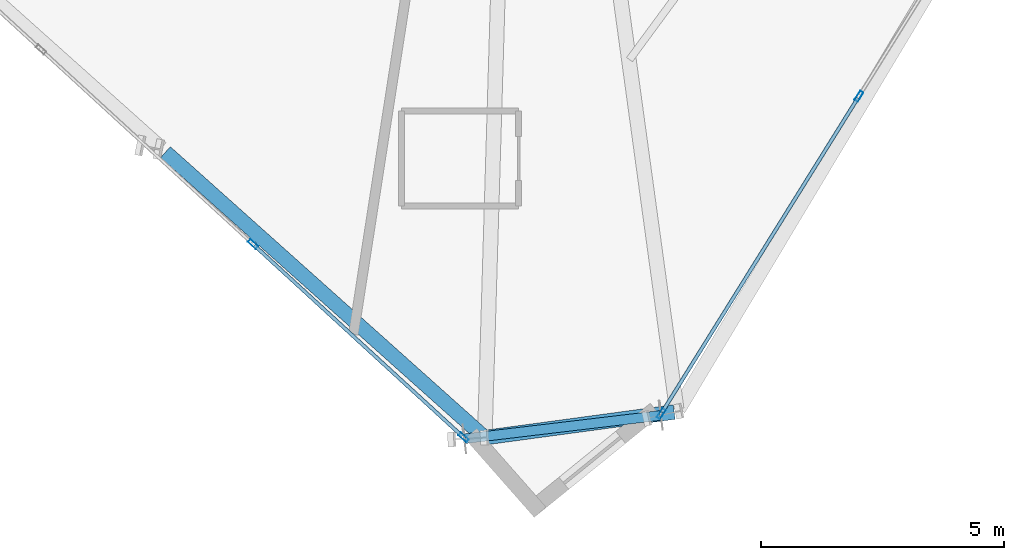
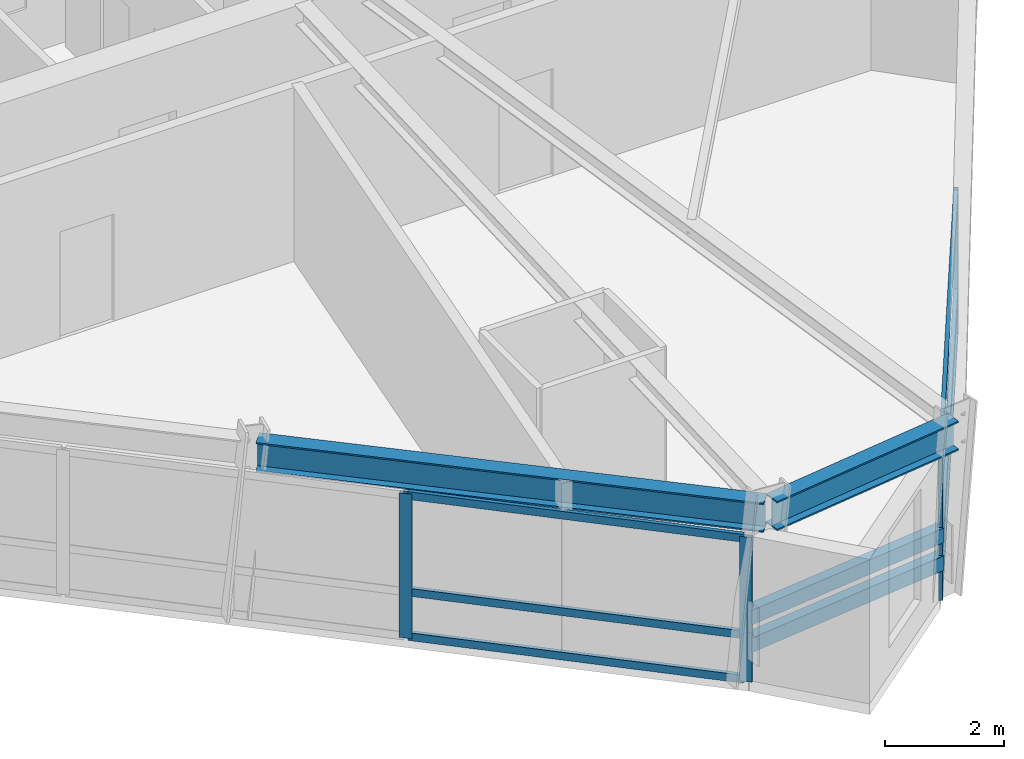
# One storey, part 3 of 13: 12 members, 2 beams, 2 elements without a shape of their own.
"""IFC4 building model written with IfcOpenShell, lengths in metres."""

from ifc_helpers import new_model, si_unit, direction, frame, origin, origin_2d, place, context, subcontext, project, spatial, hollow_rectangle, i_section, extrude, source, transform, mapped, material, material_profile, profile_set, type_object, element, aggregate, save


model = new_model("IFC4")

# Units and contexts
model_context = context("Model", 3, precision=1e-05, world=origin(), true_north=direction((0.0, 1.0)))
body_context = subcontext(model_context, "Body", "Model", "MODEL_VIEW")
ifc_project = project(units=[si_unit("LENGTHUNIT", "METRE"), si_unit("AREAUNIT", "SQUARE_METRE"), si_unit("VOLUMEUNIT", "CUBIC_METRE"), si_unit("PLANEANGLEUNIT", "RADIAN"), si_unit("MASSUNIT", "GRAM", prefix="KILO")], contexts=[model_context])

# Site, building, storey
site_placement = place(None, origin())
site = spatial("IfcSite", under=ifc_project, at=site_placement, CompositionType="ELEMENT")
building_placement = place(site_placement, origin())
building = spatial("IfcBuilding", under=site, at=building_placement, Name="Olszyna Solenne Hotel", CompositionType="ELEMENT")
storey_placement = place(building_placement, frame((0.0, 0.0, 200.300048828125)))
storey = spatial("IfcBuildingStorey", under=building, at=storey_placement, Name="L53", CompositionType="ELEMENT", Elevation=200.300048828125)

# Beams
ifc_material_1 = material(Name="Steel S355J2", Category="steel")
ifc_material_profile_1 = material_profile(ifc_material_1, i_section(OverallWidth=0.300048828125, OverallDepth=0.60009765625, WebThickness=0.015380859375, FlangeThickness=0.030029296875, at=origin_2d()), Name="HEB 600", Category="load-bearing")
ifc_profile_set_1 = profile_set([ifc_material_profile_1], Name="Steel S355J2")
beam_type = type_object("IfcBeamType", Name="BM-S2", PredefinedType="BEAM", material=ifc_profile_set_1)
shared_shape_1 = source(origin(), body_context, "Body", "SweptSolid", [
    extrude(i_section(OverallWidth=0.300048828125, OverallDepth=0.60009765625, WebThickness=0.015380859375, FlangeThickness=0.030029296875, at=origin_2d()), origin(), (0.0, 0.0, 1.0), 8.736083984375),
])
beam_1_placement = place(storey_placement, frame((30.72802734375, 8.300048828125, 3.280029296875), z_axis=(0.745491228632, -0.666515437205, 0.0), x_axis=(0.666515437205, 0.745491228632, 0.0)))
element("IfcBeam", 1, at=beam_1_placement, inside=storey, type_object=beam_type, Name="Perimeter spandrel beam BM-S2 B-L53-1571", PredefinedType="BEAM", context=body_context, shape_type="MappedRepresentation", body=[
    mapped(shared_shape_1, transform((0.0, 0.0, 0.0), x_axis=(1.0, 0.0, 0.0), y_axis=(0.0, 1.0, 0.0), z_axis=(0.0, 0.0, 1.0), scale=1.0)),
])
shared_shape_2 = source(origin(), body_context, "Body", "SweptSolid", [
    extrude(i_section(OverallWidth=0.300048828125, OverallDepth=0.60009765625, WebThickness=0.015380859375, FlangeThickness=0.030029296875, at=origin_2d()), origin(), (0.0, 0.0, 1.0), 3.8642578125),
])
beam_2_placement = place(storey_placement, frame((37.344970703125, 2.4453125, 3.280029296875), z_axis=(0.990980642615, 0.134005096779, 0.0), x_axis=(-0.134005096779, 0.990980642615, 0.0)))
element("IfcBeam", 2, at=beam_2_placement, inside=storey, type_object=beam_type, Name="Perimeter spandrel beam BM-S2 B-L53-1572", PredefinedType="BEAM", context=body_context, shape_type="MappedRepresentation", body=[
    mapped(shared_shape_2, transform((0.0, 0.0, 0.0), x_axis=(1.0, 0.0, 0.0), y_axis=(0.0, 1.0, 0.0), z_axis=(0.0, 0.0, 1.0), scale=1.0)),
])

# Members
ifc_material_profile_2 = material_profile(ifc_material_1, hollow_rectangle(XDim=0.199951171875, YDim=0.300048828125, WallThickness=0.01611328125, at=origin_2d()), Name="RHS 300x200x16", Category="load-bearing")
ifc_profile_set_2 = profile_set([ifc_material_profile_2], Name="Steel S355J2")
member_type_1 = type_object("IfcMemberType", Name="CH-PR1", PredefinedType="CHORD", material=ifc_profile_set_2)
shared_shape_3 = source(origin(), body_context, "Body", "SweptSolid", [
    extrude(hollow_rectangle(XDim=0.199951171875, YDim=0.300048828125, WallThickness=0.01611328125, at=origin_2d()), origin(), (0.0, 0.0, 1.0), 4.035400390625),
])
for number, where, z_axis, x_axis, name in (
    (3, (36.879150390625, 2.414794921875, 1.349853515625), (0.992959331086, 0.118455758866, 0.0), (-0.118455758866, 0.992959331086, 0.0), "Glass-prism tie chord CH-PR1 M-L53-PR1"),
    (4, (36.879150390625, 2.414794921875, 0.780029296875), (0.992959331086, 0.118455758866, 0.0), (-0.118455758866, 0.992959331086, 0.0), "Glass-prism tie chord CH-PR1 M-L53-PR2"),
):
    element("IfcMember", number, at=place(storey_placement, frame(where, z_axis=z_axis, x_axis=x_axis)), inside=storey, type_object=member_type_1, Name=name, PredefinedType="CHORD", context=body_context, shape_type="MappedRepresentation", body=[
        mapped(shared_shape_3, transform((0.0, 0.0, 0.0), x_axis=(1.0, 0.0, 0.0), y_axis=(0.0, 1.0, 0.0), z_axis=(0.0, 0.0, 1.0), scale=1.0)),
    ])

# Curtain wall, members
ifc_material_2 = material(Name="Anodised bronze aluminium", Category="aluminium")
curtain_wall_type = type_object("IfcCurtainWallType", Name="CW-SYS-6", PredefinedType="NOTDEFINED", material=ifc_material_2)
curtain_wall_1_placement = place(storey_placement, origin())
curtain_wall_1 = element("IfcCurtainWall", 5, at=curtain_wall_1_placement, inside=storey, type_object=curtain_wall_type, Name="Unitised curtain wall CW-SYS-6 CW-L53-01", PredefinedType="NOTDEFINED")
ifc_material_profile_3 = material_profile(ifc_material_2, hollow_rectangle(XDim=0.080078125, YDim=0.219970703125, WallThickness=0.0048828125, at=origin_2d()), Name="MULL 220x80x5", Category="load-bearing")
ifc_profile_set_3 = profile_set([ifc_material_profile_3], Name="Anodised bronze aluminium")
member_type_2 = type_object("IfcMemberType", Name="CW-M1", PredefinedType="MULLION", material=ifc_profile_set_3)
shared_shape_4 = source(origin(), body_context, "Body", "SweptSolid", [
    extrude(hollow_rectangle(XDim=0.080078125, YDim=0.219970703125, WallThickness=0.0048828125, at=origin_2d()), origin(), (0.0, 0.0, 1.0), 2.971923828125),
])
member_1_placement = place(storey_placement, frame((40.907470703125, 2.9267578125, 0.0), z_axis=(0.0, 0.0, 1.0), x_axis=(-0.848758284763, 0.528781026556, 0.0)))
member_1 = element("IfcMember", 6, at=member_1_placement, type_object=member_type_2, Name="Curtain-wall mullion CW-M1 CM-L53-01-01", PredefinedType="MULLION", context=body_context, shape_type="MappedRepresentation", body=[
    mapped(shared_shape_4, transform((0.0, 0.0, 0.0), x_axis=(1.0, 0.0, 0.0), y_axis=(0.0, 1.0, 0.0), z_axis=(0.0, 0.0, 1.0), scale=1.0)),
])
member_2_placement = place(storey_placement, frame((44.968994140625, 9.446044921875, 0.0), z_axis=(0.0, 0.0, 1.0), x_axis=(-0.848758284763, 0.528781026556, 0.0)))
member_2 = element("IfcMember", 7, at=member_2_placement, type_object=member_type_2, Name="Curtain-wall mullion CW-M1 CM-L53-01-02", PredefinedType="MULLION", context=body_context, shape_type="MappedRepresentation", body=[
    mapped(shared_shape_4, transform((0.0, 0.0, 0.0), x_axis=(1.0, 0.0, 0.0), y_axis=(0.0, 1.0, 0.0), z_axis=(0.0, 0.0, 1.0), scale=1.0)),
])

curtain_wall_2_placement = place(storey_placement, origin())
curtain_wall_2 = element("IfcCurtainWall", 8, at=curtain_wall_2_placement, inside=storey, type_object=curtain_wall_type, Name="Unitised curtain wall CW-SYS-6 CW-L53-02", PredefinedType="NOTDEFINED")
member_3_placement = place(storey_placement, frame((32.52490234375, 6.41064453125, 0.0), z_axis=(0.0, 0.0, 1.0), x_axis=(0.676127824335, 0.736784341012, 0.0)))
member_3 = element("IfcMember", 9, at=member_3_placement, type_object=member_type_2, Name="Curtain-wall mullion CW-M1 CM-L53-02-03", PredefinedType="MULLION", context=body_context, shape_type="MappedRepresentation", body=[
    mapped(shared_shape_4, transform((0.0, 0.0, 0.0), x_axis=(1.0, 0.0, 0.0), y_axis=(0.0, 1.0, 0.0), z_axis=(0.0, 0.0, 1.0), scale=1.0)),
])
member_4_placement = place(storey_placement, frame((36.849609375, 2.44189453125, 0.0), z_axis=(0.0, 0.0, 1.0), x_axis=(0.676127824335, 0.736784341012, 0.0)))
member_4 = element("IfcMember", 10, at=member_4_placement, type_object=member_type_2, Name="Curtain-wall mullion CW-M1 CM-L53-02-04", PredefinedType="MULLION", context=body_context, shape_type="MappedRepresentation", body=[
    mapped(shared_shape_4, transform((0.0, 0.0, 0.0), x_axis=(1.0, 0.0, 0.0), y_axis=(0.0, 1.0, 0.0), z_axis=(0.0, 0.0, 1.0), scale=1.0)),
])

# Member
ifc_material_profile_4 = material_profile(ifc_material_2, hollow_rectangle(XDim=0.074951171875, YDim=0.159912109375, WallThickness=0.00390625, at=origin_2d()), Name="TRAN 160x75x4", Category="load-bearing")
ifc_profile_set_4 = profile_set([ifc_material_profile_4], Name="Anodised bronze aluminium")
member_type_3 = type_object("IfcMemberType", Name="CW-T1", PredefinedType="USERDEFINED", material=ifc_profile_set_4)
shared_shape_5 = source(origin(), body_context, "Body", "SweptSolid", [
    extrude(hollow_rectangle(XDim=0.074951171875, YDim=0.159912109375, WallThickness=0.00390625, at=origin_2d()), origin(), (0.0, 0.0, 1.0), 7.60107421875),
])
member_5_placement = place(storey_placement, frame((40.928466796875, 2.960693359375, 0.037353515625), z_axis=(0.528782908027, 0.848757112593, 0.0), x_axis=(-0.848757112593, 0.528782908027, 0.0)))
member_5 = element("IfcMember", 11, at=member_5_placement, type_object=member_type_3, Name="Curtain-wall transom CW-T1 CT-L53-01-01", ObjectType="TRANSOM", PredefinedType="USERDEFINED", context=body_context, shape_type="MappedRepresentation", body=[
    mapped(shared_shape_5, transform((0.0, 0.0, 0.0), x_axis=(1.0, 0.0, 0.0), y_axis=(0.0, 1.0, 0.0), z_axis=(0.0, 0.0, 1.0), scale=1.0)),
])

member_6_placement = place(storey_placement, frame((40.928466796875, 2.960693359375, 0.949951171875), z_axis=(0.528782908027, 0.848757112593, 0.0), x_axis=(-0.848757112593, 0.528782908027, 0.0)))
member_6 = element("IfcMember", 12, at=member_6_placement, type_object=member_type_3, Name="Curtain-wall transom CW-T1 CT-L53-01-02", ObjectType="TRANSOM", PredefinedType="USERDEFINED", context=body_context, shape_type="MappedRepresentation", body=[
    mapped(shared_shape_5, transform((0.0, 0.0, 0.0), x_axis=(1.0, 0.0, 0.0), y_axis=(0.0, 1.0, 0.0), z_axis=(0.0, 0.0, 1.0), scale=1.0)),
])

member_7_placement = place(storey_placement, frame((40.928466796875, 2.960693359375, 2.9345703125), z_axis=(0.528782908027, 0.848757112593, 0.0), x_axis=(-0.848757112593, 0.528782908027, 0.0)))
member_7 = element("IfcMember", 13, at=member_7_placement, type_object=member_type_3, Name="Curtain-wall transom CW-T1 CT-L53-01-03", ObjectType="TRANSOM", PredefinedType="USERDEFINED", context=body_context, shape_type="MappedRepresentation", body=[
    mapped(shared_shape_5, transform((0.0, 0.0, 0.0), x_axis=(1.0, 0.0, 0.0), y_axis=(0.0, 1.0, 0.0), z_axis=(0.0, 0.0, 1.0), scale=1.0)),
])

aggregate(curtain_wall_1, [member_1, member_2, member_5, member_6, member_7])

shared_shape_6 = source(origin(), body_context, "Body", "SweptSolid", [
    extrude(hollow_rectangle(XDim=0.074951171875, YDim=0.159912109375, WallThickness=0.00390625, at=origin_2d()), origin(), (0.0, 0.0, 1.0), 5.789794921875),
])
member_8_placement = place(storey_placement, frame((32.554443359375, 6.383544921875, 0.037353515625), z_axis=(0.736795213502, -0.676115976265, 0.0), x_axis=(0.676115976265, 0.736795213502, 0.0)))
member_8 = element("IfcMember", 14, at=member_8_placement, type_object=member_type_3, Name="Curtain-wall transom CW-T1 CT-L53-02-07", ObjectType="TRANSOM", PredefinedType="USERDEFINED", context=body_context, shape_type="MappedRepresentation", body=[
    mapped(shared_shape_6, transform((0.0, 0.0, 0.0), x_axis=(1.0, 0.0, 0.0), y_axis=(0.0, 1.0, 0.0), z_axis=(0.0, 0.0, 1.0), scale=1.0)),
])

member_9_placement = place(storey_placement, frame((32.554443359375, 6.383544921875, 0.949951171875), z_axis=(0.736795213502, -0.676115976265, 0.0), x_axis=(0.676115976265, 0.736795213502, 0.0)))
member_9 = element("IfcMember", 15, at=member_9_placement, type_object=member_type_3, Name="Curtain-wall transom CW-T1 CT-L53-02-08", ObjectType="TRANSOM", PredefinedType="USERDEFINED", context=body_context, shape_type="MappedRepresentation", body=[
    mapped(shared_shape_6, transform((0.0, 0.0, 0.0), x_axis=(1.0, 0.0, 0.0), y_axis=(0.0, 1.0, 0.0), z_axis=(0.0, 0.0, 1.0), scale=1.0)),
])

member_10_placement = place(storey_placement, frame((32.554443359375, 6.383544921875, 2.9345703125), z_axis=(0.736795213502, -0.676115976265, 0.0), x_axis=(0.676115976265, 0.736795213502, 0.0)))
member_10 = element("IfcMember", 16, at=member_10_placement, type_object=member_type_3, Name="Curtain-wall transom CW-T1 CT-L53-02-09", ObjectType="TRANSOM", PredefinedType="USERDEFINED", context=body_context, shape_type="MappedRepresentation", body=[
    mapped(shared_shape_6, transform((0.0, 0.0, 0.0), x_axis=(1.0, 0.0, 0.0), y_axis=(0.0, 1.0, 0.0), z_axis=(0.0, 0.0, 1.0), scale=1.0)),
])

aggregate(curtain_wall_2, [member_3, member_4, member_8, member_9, member_10])

save(model, "model.ifc")
